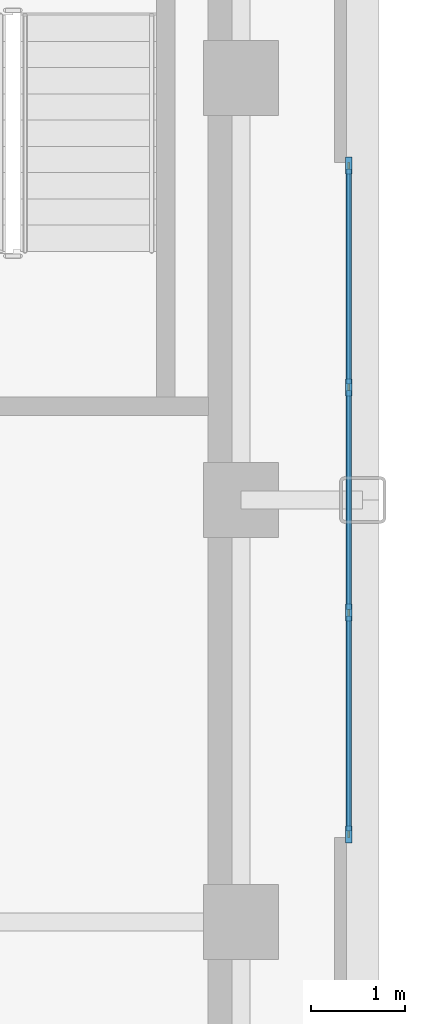
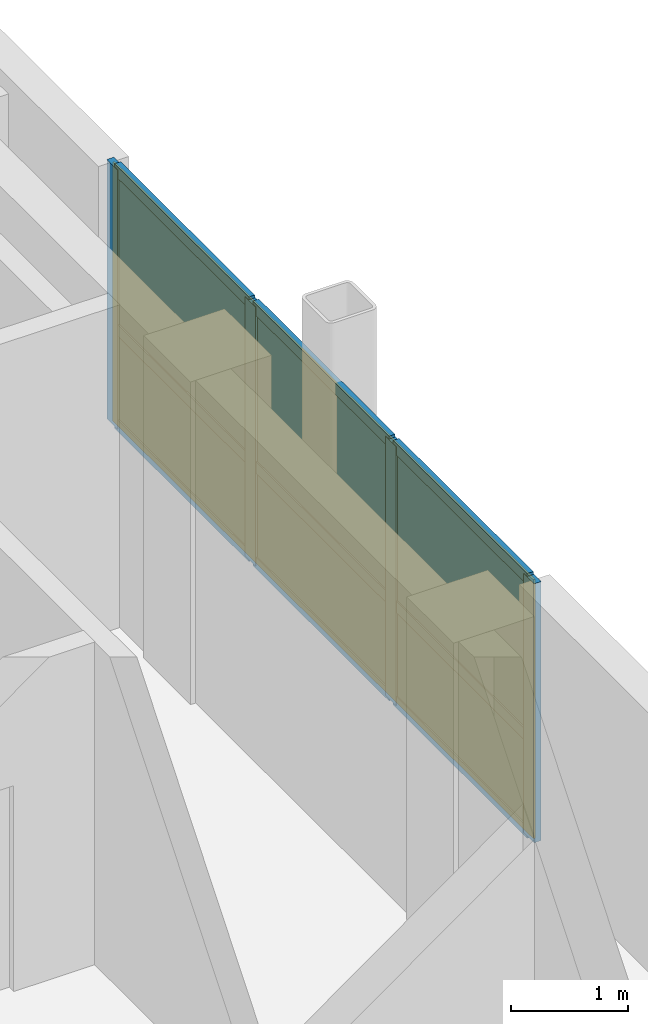
# One storey, part 10 of 14: 13 members, 6 plates, 1 curtain wall.
"""IFC4 building model written with IfcOpenShell, lengths in metres."""

import ifcopenshell
import ifcopenshell.guid

model = None  # the IFC model being written
_history = None  # IfcOwnerHistory: only IFC2X3 demands one
_inside = {}  # id of a spatial element -> (the spatial element, [elements in it])
_under = {}  # id of a project, library or spatial element -> (it, [spatial elements below it])
_declared = {}  # id of a project -> (the project, [libraries it declares])
_typed = {}  # id of a type object -> (the type object, [elements of that type])
_made_of = {}  # id of a material, layer set ... -> (it, [elements and type objects made of it])


def new_model(schema):
    """Start an empty IFC model of exactly this schema.

    Asked for "IFC4X3", IfcOpenShell would pick the latest addendum, in which some entities
    have other attributes; the version numbers below select the first issue.
    IFC2X3 requires an IfcOwnerHistory on every rooted entity: one is made here for all.
    """
    global model, _history
    if schema == "IFC4X3":
        model = ifcopenshell.file(schema_version=(4, 3, 0, 0))
    else:
        model = ifcopenshell.file(schema=schema)
    _inside.clear()
    _under.clear()
    _declared.clear()
    _typed.clear()
    _made_of.clear()
    _history = None
    if model.schema == "IFC2X3":
        org = make("IfcOrganization", Name="unknown")
        user = make(
            "IfcPersonAndOrganization",
            ThePerson=make("IfcPerson", FamilyName="unknown"),
            TheOrganization=org,
        )
        app = make(
            "IfcApplication",
            ApplicationDeveloper=org,
            Version="unknown",
            ApplicationFullName="unknown",
            ApplicationIdentifier="unknown",
        )
        _history = make(
            "IfcOwnerHistory",
            OwningUser=user,
            OwningApplication=app,
            ChangeAction="ADDED",
            CreationDate=0,
        )
    return model


def make(cls, **values):
    """One entity of the class cls with the attributes given. An attribute that is None is left unset."""
    return model.create_entity(
        cls, **{name: value for name, value in values.items() if value is not None}
    )


def rooted(cls, **values):
    """An entity with a GlobalId (a new one), such as an element, a storey or a relation."""
    return make(cls, GlobalId=ifcopenshell.guid.new(), OwnerHistory=_history, **values)


def si_unit(unit_type, name, prefix=None):
    """IfcSIUnit, for example si_unit("LENGTHUNIT", "METRE", prefix="MILLI")."""
    return make("IfcSIUnit", UnitType=unit_type, Prefix=prefix, Name=name)


def assignment(units):
    """IfcUnitAssignment: the units of a project."""
    return None if units is None else make("IfcUnitAssignment", Units=units)


def point(xyz):
    """IfcCartesianPoint."""
    return None if xyz is None else make("IfcCartesianPoint", Coordinates=xyz)


def direction(xyz):
    """IfcDirection."""
    return None if xyz is None else make("IfcDirection", DirectionRatios=xyz)


def frame(location, z_axis=None, x_axis=None):
    """IfcAxis2Placement3D, a coordinate frame: its origin and axes. An axis left out is left unset."""
    return make(
        "IfcAxis2Placement3D",
        Location=point(location),
        Axis=direction(z_axis),
        RefDirection=direction(x_axis),
    )


def frame_2d(location, x_axis=None):
    """IfcAxis2Placement2D, a coordinate frame in the plane: its origin and x axis."""
    return make(
        "IfcAxis2Placement2D", Location=point(location), RefDirection=direction(x_axis)
    )


def origin():
    """The frame at (0, 0, 0) with its axes left unset."""
    return frame((0.0, 0.0, 0.0))


def origin_2d():
    """The frame at (0, 0) in the plane with its x axis left unset."""
    return frame_2d((0.0, 0.0))


def place(relative_to, where):
    """IfcLocalPlacement: puts the frame where relative to a parent placement (None: the world)."""
    return make(
        "IfcLocalPlacement", PlacementRelTo=relative_to, RelativePlacement=where
    )


def context(
    kind, dimensions, precision=None, world=None, true_north=None, identifier=None
):
    """IfcGeometricRepresentationContext, for example the 3D "Model" context."""
    return make(
        "IfcGeometricRepresentationContext",
        ContextIdentifier=identifier,
        ContextType=kind,
        CoordinateSpaceDimension=dimensions,
        Precision=precision,
        WorldCoordinateSystem=world,
        TrueNorth=true_north,
    )


def subcontext(parent, identifier, kind, view, scale=None):
    """IfcGeometricRepresentationSubContext, for example "Body" below "Model"."""
    return make(
        "IfcGeometricRepresentationSubContext",
        ContextIdentifier=identifier,
        ContextType=kind,
        ParentContext=parent,
        TargetScale=scale,
        TargetView=view,
    )


def project(units=None, contexts=None):
    """IfcProject with its units and contexts."""
    return rooted(
        "IfcProject",
        Name="project",
        RepresentationContexts=contexts,
        UnitsInContext=assignment(units),
    )


def spatial(cls, under=None, at=None, **own):
    """A site, building, storey or space (cls), placed at a placement, below another one or the project."""
    s = rooted(cls, ObjectPlacement=at, **own)
    if under is not None:
        _under.setdefault(under.id(), (under, []))[1].append(s)
    return s


def profile(cls, at=None, kind="AREA", **sizes):
    """A parametric profile (cls). Its sizes go by their IFC names, for example OverallWidth=200.0."""
    return make(cls, ProfileType=kind, Position=at, **sizes)


def rectangle(**sizes):
    """IfcRectangleProfileDef."""
    return profile("IfcRectangleProfileDef", **sizes)


def extrude(swept, where, along, depth):
    """IfcExtrudedAreaSolid: the profile swept, set in the frame where, extruded along a direction by depth."""
    return make(
        "IfcExtrudedAreaSolid",
        SweptArea=swept,
        Position=where,
        ExtrudedDirection=direction(along),
        Depth=depth,
    )


def shape(context_of_items, identifier, shape_type, items):
    """IfcShapeRepresentation: the items that make up one representation, for example the "Body"."""
    return make(
        "IfcShapeRepresentation",
        ContextOfItems=context_of_items,
        RepresentationIdentifier=identifier,
        RepresentationType=shape_type,
        Items=items,
    )


def source(mapping_origin, context_of_items, identifier, shape_type, items):
    """IfcRepresentationMap: a shape defined once, which mapped items show again and again."""
    return make(
        "IfcRepresentationMap",
        MappingOrigin=mapping_origin,
        MappedRepresentation=shape(context_of_items, identifier, shape_type, items),
    )


def transform(
    local_origin,
    x_axis=None,
    y_axis=None,
    z_axis=None,
    scale=None,
    scale2=None,
    scale3=None,
    uniform=True,
):
    """IfcCartesianTransformationOperator3D, or its non-uniform kind. x_axis, y_axis, z_axis: its Axis1, 2, 3."""
    if uniform:
        return make(
            "IfcCartesianTransformationOperator3D",
            Axis1=direction(x_axis),
            Axis2=direction(y_axis),
            LocalOrigin=point(local_origin),
            Scale=scale,
            Axis3=direction(z_axis),
        )
    return make(
        "IfcCartesianTransformationOperator3DnonUniform",
        Axis1=direction(x_axis),
        Axis2=direction(y_axis),
        LocalOrigin=point(local_origin),
        Scale=scale,
        Axis3=direction(z_axis),
        Scale2=scale2,
        Scale3=scale3,
    )


def mapped(mapping_source, mapping_target):
    """IfcMappedItem: shows the shape of a source again, moved by a transform."""
    return make(
        "IfcMappedItem", MappingSource=mapping_source, MappingTarget=mapping_target
    )


def material(Name=None, Category=None):
    """IfcMaterial."""
    return make("IfcMaterial", Name=Name, Category=Category)


def layer(
    of_material, thickness, ventilated=None, Name=None, Category=None, Priority=None
):
    """IfcMaterialLayer: one layer of a wall or slab, of a material (None: an air gap)."""
    return make(
        "IfcMaterialLayer",
        Material=of_material,
        LayerThickness=thickness,
        IsVentilated=ventilated,
        Name=Name,
        Category=Category,
        Priority=Priority,
    )


def layer_set(layers, Name=None):
    """IfcMaterialLayerSet."""
    return make("IfcMaterialLayerSet", MaterialLayers=layers, LayerSetName=Name)


def material_profile(
    of_material, cross_section, Name=None, Category=None, Priority=None
):
    """IfcMaterialProfile: a cross section and its material."""
    return make(
        "IfcMaterialProfile",
        Name=Name,
        Material=of_material,
        Profile=cross_section,
        Priority=Priority,
        Category=Category,
    )


def profile_set(profiles, Name=None, composite=None):
    """IfcMaterialProfileSet."""
    return make(
        "IfcMaterialProfileSet",
        Name=Name,
        MaterialProfiles=profiles,
        CompositeProfile=composite,
    )


def made_of(thing, what):
    """Note that an element or type object is made of a material, layer set ...; save() writes the relation."""
    if what is not None:
        _made_of.setdefault(what.id(), (what, []))[1].append(thing)
    return thing


def type_object(cls, material=None, **own):
    """A type object (cls), such as IfcWallType, which elements share."""
    return made_of(rooted(cls, **own), material)


def type_shapes(of_type, sources):
    """Give a type object the sources (RepresentationMaps) that its elements show as mapped items."""
    of_type.RepresentationMaps = sources


def element(
    cls,
    number,
    at=None,
    inside=None,
    cuts=None,
    type_object=None,
    material=None,
    context=None,
    identifier="Body",
    shape_type=None,
    held_by="IfcProductDefinitionShape",
    body=None,
    shapes=None,
    **own,
):
    """One element of the class cls, such as IfcWall. Its Tag is "e" and its number.

    at: its placement. inside: the storey or other place that contains it. cuts: it is an
    opening in that element (IfcRelVoidsElement). A single representation is given by context,
    identifier, shape_type and body (its items); several are given by shapes. held_by: the class
    of the entity that holds the representations. save() writes the other relations.
    """
    e = rooted(cls, Tag="e%d" % number, ObjectPlacement=at, **own)
    if body is not None:
        shapes = [shape(context, identifier, shape_type, body)]
    if shapes is not None:
        e.Representation = make(held_by, Representations=shapes)
    if inside is not None:
        _inside.setdefault(inside.id(), (inside, []))[1].append(e)
    if cuts is not None:
        rooted(
            "IfcRelVoidsElement", RelatingBuildingElement=cuts, RelatedOpeningElement=e
        )
    if type_object is not None:
        _typed.setdefault(type_object.id(), (type_object, []))[1].append(e)
    return made_of(e, material)


def aggregate(whole, parts):
    """IfcRelAggregates: a whole, such as a stair, and the parts it consists of."""
    return rooted("IfcRelAggregates", RelatingObject=whole, RelatedObjects=parts)


def save(model, path):
    """Write the relations noted so far, then the file.

    IfcRelAggregates (storeys below a building ...), IfcRelContainedInSpatialStructure (elements
    in a storey), IfcRelDefinesByType, IfcRelAssociatesMaterial and IfcRelDeclares: one each for
    every whole, place, type object, material and project.
    """
    for whole, parts in _under.values():
        aggregate(whole, parts)
    for where, things in _inside.values():
        rooted(
            "IfcRelContainedInSpatialStructure",
            RelatedElements=things,
            RelatingStructure=where,
        )
    for kind, things in _typed.values():
        rooted("IfcRelDefinesByType", RelatedObjects=things, RelatingType=kind)
    for what, things in _made_of.values():
        rooted("IfcRelAssociatesMaterial", RelatedObjects=things, RelatingMaterial=what)
    for by, libraries in _declared.values():
        rooted("IfcRelDeclares", RelatingContext=by, RelatedDefinitions=libraries)
    model.write(path)


model = new_model("IFC4")

# Units and contexts
model_context = context("Model", 3, precision=1e-05, world=origin(), true_north=direction((0.0, 1.0)))
body_context = subcontext(model_context, "Body", "Model", "MODEL_VIEW")
ifc_project = project(units=[si_unit("LENGTHUNIT", "METRE"), si_unit("AREAUNIT", "SQUARE_METRE"), si_unit("VOLUMEUNIT", "CUBIC_METRE"), si_unit("PLANEANGLEUNIT", "RADIAN"), si_unit("MASSUNIT", "GRAM", prefix="KILO")], contexts=[model_context])

# Member
ifc_material_1 = material(Name="Anodised aluminium 6063-T6", Category="aluminium")
ifc_material_profile_1 = material_profile(ifc_material_1, rectangle(XDim=0.070068359375, YDim=0.179931640625, at=origin_2d()), Name="ALU-MULL-70x180")
ifc_profile_set_1 = profile_set([ifc_material_profile_1], Name="Anodised aluminium 6063-T6")
member_type_1 = type_object("IfcMemberType", Name="CWM-5", PredefinedType="MULLION", material=ifc_profile_set_1)
site_placement = place(None, origin())
building_placement = place(site_placement, origin())
storey_placement = place(building_placement, frame((0.0, 0.0, 245.64990234375)))
member_1_placement = place(storey_placement, frame((18.64990234375, -3.56494140625, 0.0), z_axis=(0.0, 0.0, 1.0), x_axis=(-1.0, 0.0, 0.0)))
member_1 = element("IfcMember", 1, at=member_1_placement, type_object=member_type_1, Name="CWS-5 mullion 1", PredefinedType="MULLION", context=body_context, shape_type="SweptSolid", body=[
    extrude(rectangle(XDim=0.070068359375, YDim=0.179931640625, at=origin_2d()), origin(), (0.0, 0.0, 1.0), 2.705078125),
])

member_2_placement = place(storey_placement, frame((18.64990234375, -1.199951171875, 0.0), z_axis=(0.0, 0.0, 1.0), x_axis=(-1.0, 0.0, 0.0)))
member_2 = element("IfcMember", 2, at=member_2_placement, type_object=member_type_1, Name="CWS-5 mullion 2", PredefinedType="MULLION", context=body_context, shape_type="SweptSolid", body=[
    extrude(rectangle(XDim=0.070068359375, YDim=0.179931640625, at=origin_2d()), origin(), (0.0, 0.0, 1.0), 2.705078125),
])

member_3_placement = place(storey_placement, frame((18.64990234375, 1.199951171875, 0.0), z_axis=(0.0, 0.0, 1.0), x_axis=(-1.0, 0.0, 0.0)))
member_3 = element("IfcMember", 3, at=member_3_placement, type_object=member_type_1, Name="CWS-5 mullion 3", PredefinedType="MULLION", context=body_context, shape_type="SweptSolid", body=[
    extrude(rectangle(XDim=0.070068359375, YDim=0.179931640625, at=origin_2d()), origin(), (0.0, 0.0, 1.0), 2.705078125),
])

member_4_placement = place(storey_placement, frame((18.64990234375, 3.56494140625, 0.0), z_axis=(0.0, 0.0, 1.0), x_axis=(-1.0, 0.0, 0.0)))
member_4 = element("IfcMember", 4, at=member_4_placement, type_object=member_type_1, Name="CWS-5 mullion 4", PredefinedType="MULLION", context=body_context, shape_type="SweptSolid", body=[
    extrude(rectangle(XDim=0.070068359375, YDim=0.179931640625, at=origin_2d()), origin(), (0.0, 0.0, 1.0), 2.705078125),
])

ifc_material_profile_2 = material_profile(ifc_material_1, rectangle(XDim=0.06005859375, YDim=0.1201171875, at=origin_2d()), Name="ALU-TRAN-60x120")
ifc_profile_set_2 = profile_set([ifc_material_profile_2], Name="Anodised aluminium 6063-T6")
member_type_2 = type_object("IfcMemberType", Name="CWT-5", PredefinedType="USERDEFINED", material=ifc_profile_set_2)
member_5_placement = place(storey_placement, frame((18.64990234375, -3.530029296875, 0.030029296875), z_axis=(0.0, 1.0, 0.0), x_axis=(-1.0, 0.0, 0.0)))
member_5 = element("IfcMember", 5, at=member_5_placement, type_object=member_type_2, Name="CWS-5 transom 1.1", ObjectType="TRANSOM", PredefinedType="USERDEFINED", context=body_context, shape_type="SweptSolid", body=[
    extrude(rectangle(XDim=0.06005859375, YDim=0.1201171875, at=origin_2d()), origin(), (0.0, 0.0, 1.0), 2.294921875),
])

member_6_placement = place(storey_placement, frame((18.64990234375, -3.530029296875, 1.028076171875), z_axis=(0.0, 1.0, 0.0), x_axis=(-1.0, 0.0, 0.0)))
member_6 = element("IfcMember", 6, at=member_6_placement, type_object=member_type_2, Name="CWS-5 transom 1.2", ObjectType="TRANSOM", PredefinedType="USERDEFINED", context=body_context, shape_type="SweptSolid", body=[
    extrude(rectangle(XDim=0.06005859375, YDim=0.1201171875, at=origin_2d()), origin(), (0.0, 0.0, 1.0), 2.294921875),
])

member_7_placement = place(storey_placement, frame((18.64990234375, -3.530029296875, 2.675048828125), z_axis=(0.0, 1.0, 0.0), x_axis=(-1.0, 0.0, 0.0)))
member_7 = element("IfcMember", 7, at=member_7_placement, type_object=member_type_2, Name="CWS-5 transom 1.3", ObjectType="TRANSOM", PredefinedType="USERDEFINED", context=body_context, shape_type="SweptSolid", body=[
    extrude(rectangle(XDim=0.06005859375, YDim=0.1201171875, at=origin_2d()), origin(), (0.0, 0.0, 1.0), 2.294921875),
])

member_8_placement = place(storey_placement, frame((18.64990234375, -1.1650390625, 0.030029296875), z_axis=(0.0, 1.0, 0.0), x_axis=(-1.0, 0.0, 0.0)))
member_8 = element("IfcMember", 8, at=member_8_placement, type_object=member_type_2, Name="CWS-5 transom 2.1", ObjectType="TRANSOM", PredefinedType="USERDEFINED", context=body_context, shape_type="SweptSolid", body=[
    extrude(rectangle(XDim=0.06005859375, YDim=0.1201171875, at=origin_2d()), origin(), (0.0, 0.0, 1.0), 2.330078125),
])

member_9_placement = place(storey_placement, frame((18.64990234375, -1.1650390625, 1.028076171875), z_axis=(0.0, 1.0, 0.0), x_axis=(-1.0, 0.0, 0.0)))
member_9 = element("IfcMember", 9, at=member_9_placement, type_object=member_type_2, Name="CWS-5 transom 2.2", ObjectType="TRANSOM", PredefinedType="USERDEFINED", context=body_context, shape_type="SweptSolid", body=[
    extrude(rectangle(XDim=0.06005859375, YDim=0.1201171875, at=origin_2d()), origin(), (0.0, 0.0, 1.0), 2.330078125),
])

member_10_placement = place(storey_placement, frame((18.64990234375, -1.1650390625, 2.675048828125), z_axis=(0.0, 1.0, 0.0), x_axis=(-1.0, 0.0, 0.0)))
member_10 = element("IfcMember", 10, at=member_10_placement, type_object=member_type_2, Name="CWS-5 transom 2.3", ObjectType="TRANSOM", PredefinedType="USERDEFINED", context=body_context, shape_type="SweptSolid", body=[
    extrude(rectangle(XDim=0.06005859375, YDim=0.1201171875, at=origin_2d()), origin(), (0.0, 0.0, 1.0), 2.330078125),
])

member_11_placement = place(storey_placement, frame((18.64990234375, 1.235107421875, 0.030029296875), z_axis=(0.0, 1.0, 0.0), x_axis=(-1.0, 0.0, 0.0)))
member_11 = element("IfcMember", 11, at=member_11_placement, type_object=member_type_2, Name="CWS-5 transom 3.1", ObjectType="TRANSOM", PredefinedType="USERDEFINED", context=body_context, shape_type="SweptSolid", body=[
    extrude(rectangle(XDim=0.06005859375, YDim=0.1201171875, at=origin_2d()), origin(), (0.0, 0.0, 1.0), 2.294921875),
])

member_12_placement = place(storey_placement, frame((18.64990234375, 1.235107421875, 1.028076171875), z_axis=(0.0, 1.0, 0.0), x_axis=(-1.0, 0.0, 0.0)))
member_12 = element("IfcMember", 12, at=member_12_placement, type_object=member_type_2, Name="CWS-5 transom 3.2", ObjectType="TRANSOM", PredefinedType="USERDEFINED", context=body_context, shape_type="SweptSolid", body=[
    extrude(rectangle(XDim=0.06005859375, YDim=0.1201171875, at=origin_2d()), origin(), (0.0, 0.0, 1.0), 2.294921875),
])

member_13_placement = place(storey_placement, frame((18.64990234375, 1.235107421875, 2.675048828125), z_axis=(0.0, 1.0, 0.0), x_axis=(-1.0, 0.0, 0.0)))
member_13 = element("IfcMember", 13, at=member_13_placement, type_object=member_type_2, Name="CWS-5 transom 3.3", ObjectType="TRANSOM", PredefinedType="USERDEFINED", context=body_context, shape_type="SweptSolid", body=[
    extrude(rectangle(XDim=0.06005859375, YDim=0.1201171875, at=origin_2d()), origin(), (0.0, 0.0, 1.0), 2.294921875),
])

# Plate
ifc_material_2 = material(Name="Insulated solar-control glass", Category="glass")
ifc_layer_1 = layer(ifc_material_2, 0.033935546875, Name="CWP-5")
ifc_layer_set_1 = layer_set([ifc_layer_1], Name="Insulated solar-control glass")
plate_type = type_object("IfcPlateType", Name="CWP-5", PredefinedType="CURTAIN_PANEL", material=ifc_layer_set_1)
shared_shape_1 = source(origin(), body_context, "Body", "SweptSolid", [
    extrude(rectangle(XDim=2.294921875, YDim=0.033935546875, at=origin_2d()), origin(), (0.0, 0.0, 1.0), 0.93798828125),
])
plate_1_placement = place(storey_placement, frame((18.64990234375, -2.382568359375, 0.06005859375), z_axis=(0.0, 0.0, 1.0), x_axis=(0.0, 1.0, 0.0)))
plate_1 = element("IfcPlate", 14, at=plate_1_placement, type_object=plate_type, Name="CWS-5 panel 1.1", PredefinedType="CURTAIN_PANEL", context=body_context, shape_type="MappedRepresentation", body=[
    mapped(shared_shape_1, transform((0.0, 0.0, 0.0), scale=1.0)),
])

plate_2_placement = place(storey_placement, frame((18.64990234375, 2.382568359375, 0.06005859375), z_axis=(0.0, 0.0, 1.0), x_axis=(0.0, 1.0, 0.0)))
plate_2 = element("IfcPlate", 15, at=plate_2_placement, type_object=plate_type, Name="CWS-5 panel 3.1", PredefinedType="CURTAIN_PANEL", context=body_context, shape_type="MappedRepresentation", body=[
    mapped(shared_shape_1, transform((0.0, 0.0, 0.0), scale=1.0)),
])

shared_shape_2 = source(origin(), body_context, "Body", "SweptSolid", [
    extrude(rectangle(XDim=2.294921875, YDim=0.033935546875, at=origin_2d()), origin(), (0.0, 0.0, 1.0), 1.587158203125),
])
plate_3_placement = place(storey_placement, frame((18.64990234375, -2.382568359375, 1.05810546875), z_axis=(0.0, 0.0, 1.0), x_axis=(0.0, 1.0, 0.0)))
plate_3 = element("IfcPlate", 16, at=plate_3_placement, type_object=plate_type, Name="CWS-5 panel 1.2", PredefinedType="CURTAIN_PANEL", context=body_context, shape_type="MappedRepresentation", body=[
    mapped(shared_shape_2, transform((0.0, 0.0, 0.0), scale=1.0)),
])

plate_4_placement = place(storey_placement, frame((18.64990234375, 2.382568359375, 1.05810546875), z_axis=(0.0, 0.0, 1.0), x_axis=(0.0, 1.0, 0.0)))
plate_4 = element("IfcPlate", 17, at=plate_4_placement, type_object=plate_type, Name="CWS-5 panel 3.2", PredefinedType="CURTAIN_PANEL", context=body_context, shape_type="MappedRepresentation", body=[
    mapped(shared_shape_2, transform((0.0, 0.0, 0.0), scale=1.0)),
])

shared_shape_3 = source(origin(), body_context, "Body", "SweptSolid", [
    extrude(rectangle(XDim=2.330078125, YDim=0.033935546875, at=origin_2d()), origin(), (0.0, 0.0, 1.0), 0.93798828125),
])
plate_5_placement = place(storey_placement, frame((18.64990234375, 0.0, 0.06005859375), z_axis=(0.0, 0.0, 1.0), x_axis=(0.0, 1.0, 0.0)))
plate_5 = element("IfcPlate", 18, at=plate_5_placement, type_object=plate_type, Name="CWS-5 panel 2.1", PredefinedType="CURTAIN_PANEL", context=body_context, shape_type="MappedRepresentation", body=[
    mapped(shared_shape_3, transform((0.0, 0.0, 0.0), scale=1.0)),
])

shared_shape_4 = source(origin(), body_context, "Body", "SweptSolid", [
    extrude(rectangle(XDim=2.330078125, YDim=0.033935546875, at=origin_2d()), origin(), (0.0, 0.0, 1.0), 1.587158203125),
])
type_shapes(plate_type, [shared_shape_1, shared_shape_2, shared_shape_3, shared_shape_4])
plate_6_placement = place(storey_placement, frame((18.64990234375, 0.0, 1.05810546875), z_axis=(0.0, 0.0, 1.0), x_axis=(0.0, 1.0, 0.0)))
plate_6 = element("IfcPlate", 19, at=plate_6_placement, type_object=plate_type, Name="CWS-5 panel 2.2", PredefinedType="CURTAIN_PANEL", context=body_context, shape_type="MappedRepresentation", body=[
    mapped(shared_shape_4, transform((0.0, 0.0, 0.0), scale=1.0)),
])

# Site, building, storey
site = spatial("IfcSite", under=ifc_project, at=site_placement, CompositionType="ELEMENT")
building = spatial("IfcBuilding", under=site, at=building_placement, Name="Nuvemarco Arch Tower", CompositionType="ELEMENT")
storey = spatial("IfcBuildingStorey", under=building, at=storey_placement, Name="L65", CompositionType="ELEMENT", Elevation=245.64990234375)

# Curtain wall
ifc_layer_2 = layer(ifc_material_2, 0.179931640625, Name="CW-SYS-5")
ifc_layer_set_2 = layer_set([ifc_layer_2], Name="Insulated solar-control glass")
curtain_wall_type = type_object("IfcCurtainWallType", Name="CW-SYS-5", PredefinedType="NOTDEFINED", material=ifc_layer_set_2)
curtain_wall_placement = place(storey_placement, frame((18.64990234375, -3.60009765625, 0.0), z_axis=(0.0, 0.0, 1.0), x_axis=(0.0, 1.0, 0.0)))
curtain_wall = element("IfcCurtainWall", 20, at=curtain_wall_placement, inside=storey, type_object=curtain_wall_type, Name="L65 curtain wall CWS-5", PredefinedType="NOTDEFINED", context=body_context, shape_type="SweptSolid", body=[
    extrude(rectangle(XDim=7.2001953125, YDim=0.02001953125, at=frame_2d((3.60009765625, 0.0))), origin(), (0.0, 0.0, 1.0), 2.705078125),
])

aggregate(curtain_wall, [member_1, member_2, member_3, member_4, member_5, member_6, member_7, plate_1, plate_3, member_8, member_9, member_10, plate_5, plate_6, member_11, member_12, member_13, plate_2, plate_4])

save(model, "model.ifc")
